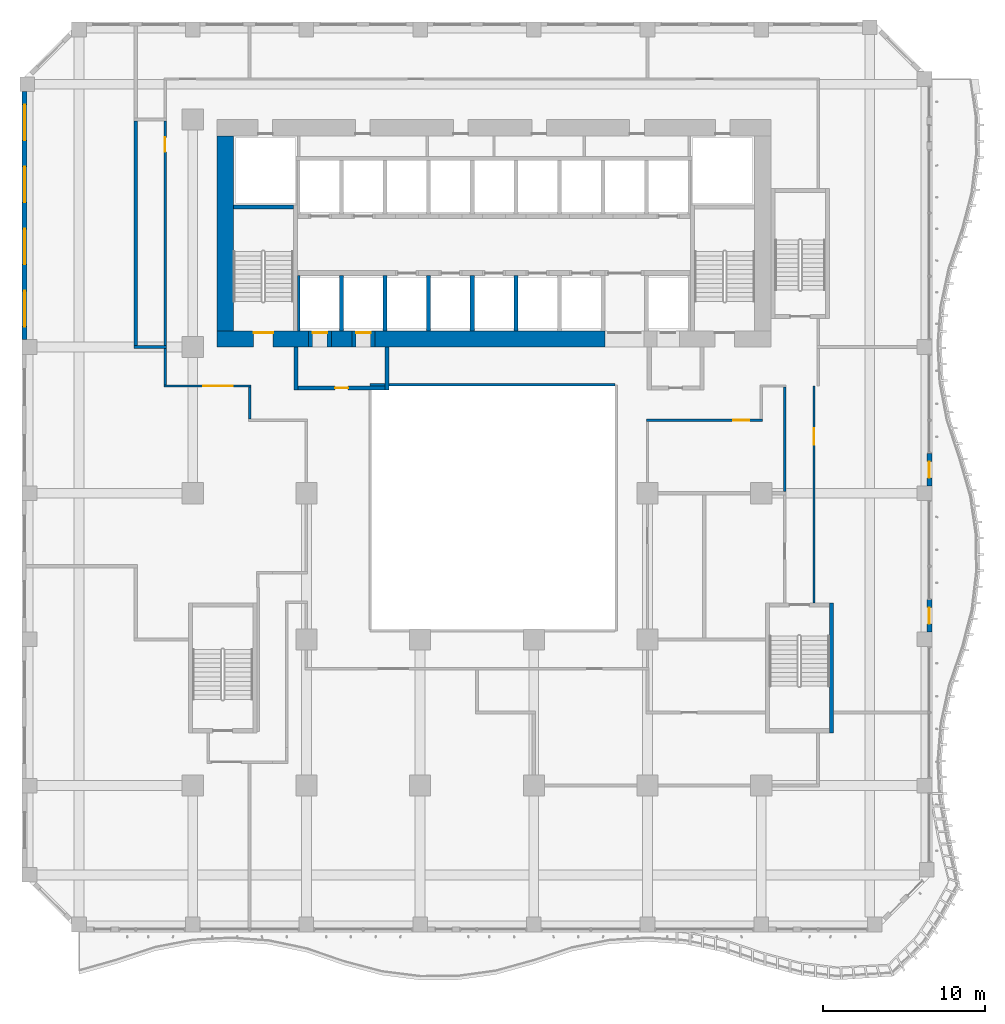
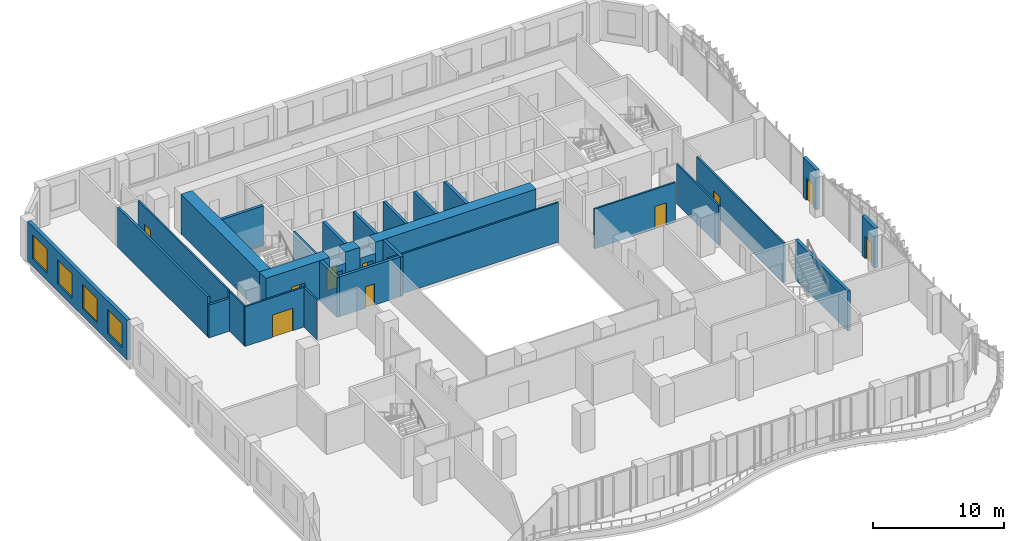
# One storey, part 14 of 26: 30 walls, 10 doors, 4 windows, 14 openings.
"""IFC4 building model written with IfcOpenShell, lengths in metres."""

from ifc_helpers import new_model, si_unit, direction, frame, frame_2d, origin, place, context, subcontext, project, spatial, rectangle, extrude, source, transform, mapped, material, layer, layer_set, type_object, element, fill, save


model = new_model("IFC4")

# Units and contexts
model_context = context("Model", 3, precision=1e-05, world=origin(), true_north=direction((0.0, 1.0)))
body_context = subcontext(model_context, "Body", "Model", "MODEL_VIEW")
ifc_project = project(units=[si_unit("LENGTHUNIT", "METRE"), si_unit("AREAUNIT", "SQUARE_METRE"), si_unit("VOLUMEUNIT", "CUBIC_METRE"), si_unit("PLANEANGLEUNIT", "RADIAN"), si_unit("MASSUNIT", "GRAM", prefix="KILO")], contexts=[model_context])

# Site, building, storey
site_placement = place(None, origin())
site = spatial("IfcSite", under=ifc_project, at=site_placement, CompositionType="ELEMENT")
building_placement = place(site_placement, origin())
building = spatial("IfcBuilding", under=site, at=building_placement, Name="Kilnfold Tower and Market Hall", CompositionType="ELEMENT")
storey_placement = place(building_placement, frame((0.0, 0.0, 31.0)))
storey = spatial("IfcBuildingStorey", under=building, at=storey_placement, Name="L06", CompositionType="ELEMENT", Elevation=31.0)

# Walls
ifc_material_1 = material(Name="Fire-resisting glazed screen")
ifc_layer_1 = layer(ifc_material_1, 0.14990234375)
ifc_layer_set_1 = layer_set([ifc_layer_1], Name="Fire-resisting glazed screen")
wall_type_1 = type_object("IfcWallType", Name="WALL ATRIUM 150", PredefinedType="PARTITIONING", material=ifc_layer_set_1)
wall_1_placement = place(storey_placement, frame((-6.574951171875, 5.675048828125, 0.0), z_axis=(0.0, 0.0, 1.0), x_axis=(1.0, 0.0, 0.0)))
element("IfcWall", 1, at=wall_1_placement, inside=storey, type_object=wall_type_1, Name="Partition LY06.62", PredefinedType="PARTITIONING", context=body_context, shape_type="SweptSolid", body=[
    extrude(rectangle(XDim=15.074951171875, YDim=0.14990234375, at=frame_2d((7.53759765625, 0.0))), origin(), (0.0, 0.0, 1.0), 3.719970703125),
])
ifc_material_2 = material(Name="Gypsum board on steel studs", Category="steel")
ifc_layer_2 = layer(ifc_material_2, 0.14990234375)
ifc_layer_set_2 = layer_set([ifc_layer_2], Name="Gypsum board on steel studs")
wall_type_2 = type_object("IfcWallType", Name="WALL CORRIDOR 150", PredefinedType="PARTITIONING", material=ifc_layer_set_2)
wall_2_placement = place(storey_placement, frame((-14.0, 5.52490234375, 0.0), z_axis=(0.0, 0.0, 1.0), x_axis=(0.0, -1.0, 0.0)))
element("IfcWall", 2, at=wall_2_placement, inside=storey, type_object=wall_type_2, Name="Partition LY06.6", PredefinedType="PARTITIONING", context=body_context, shape_type="SweptSolid", body=[
    extrude(rectangle(XDim=1.949951171875, YDim=0.14990234375, at=frame_2d((0.97509765625, 0.0))), origin(), (0.0, 0.0, 1.0), 3.719970703125),
])

# Wall, opening, door
wall_3_placement = place(storey_placement, frame((-19.27490234375, 5.60009765625, 0.0), z_axis=(0.0, 0.0, 1.0), x_axis=(1.0, 0.0, 0.0)))
wall_3 = element("IfcWall", 3, at=wall_3_placement, inside=storey, type_object=wall_type_2, Name="Partition LY06.7", PredefinedType="PARTITIONING", context=body_context, shape_type="SweptSolid", body=[
    extrude(rectangle(XDim=5.349853515625, YDim=0.14990234375, at=frame_2d((2.6748046875, 0.0))), origin(), (0.0, 0.0, 1.0), 3.719970703125),
])
opening_1_placement = place(wall_3_placement, frame((2.43505859375, 0.0, 0.0)))
opening_1 = element("IfcOpeningElement", 4, at=opening_1_placement, cuts=wall_3, Name="Opening D5", PredefinedType="OPENING", context=body_context, shape_type="SweptSolid", body=[
    extrude(rectangle(XDim=1.800048828125, YDim=2.10009765625, at=frame_2d((0.89990234375, 1.050048828125))), frame((0.0, 0.0849609375, 0.0), z_axis=(0.0, -1.0, 0.0), x_axis=(1.0, 0.0, 0.0)), (0.0, 0.0, 1.0), 0.169921875),
])
ifc_material_3 = material(Name="Timber veneer door leaf in steel frame", Category="steel")
door_type_1 = type_object("IfcDoorType", Name="DOOR DOUBLE 1800 X2100", OperationType="NOTDEFINED", PredefinedType="DOOR", material=ifc_material_3)
door_1_placement = place(opening_1_placement, origin())
door_1 = element("IfcDoor", 5, at=door_1_placement, inside=storey, type_object=door_type_1, Name="Door D5", OperationType="DOUBLE_DOOR_SINGLE_SWING", OverallHeight=2.10009765625, OverallWidth=1.800048828125, PredefinedType="DOOR", context=body_context, shape_type="SweptSolid", body=[
    extrude(rectangle(XDim=1.800048828125, YDim=2.10009765625, at=frame_2d((0.89990234375, 1.050048828125))), frame((0.0, 0.02490234375, 0.0), z_axis=(0.0, -1.0, 0.0), x_axis=(1.0, 0.0, 0.0)), (0.0, 0.0, 1.0), 0.050048828125),
])
fill(opening_1, door_1)

# Walls
wall_4_placement = place(storey_placement, frame((-19.199951171875, 5.675048828125, 0.0), z_axis=(0.0, 0.0, 1.0), x_axis=(0.0, 1.0, 0.0)))
element("IfcWall", 6, at=wall_4_placement, inside=storey, type_object=wall_type_2, Name="Partition LY06.8", PredefinedType="PARTITIONING", context=body_context, shape_type="SweptSolid", body=[
    extrude(rectangle(XDim=2.23486328125, YDim=0.14990234375, at=frame_2d((1.117431640625, 0.0))), origin(), (0.0, 0.0, 1.0), 3.719970703125),
])
wall_5_placement = place(storey_placement, frame((18.949951171875, -0.909912109375, 0.0), z_axis=(0.0, 0.0, 1.0), x_axis=(0.0, 1.0, 0.0)))
element("IfcWall", 7, at=wall_5_placement, inside=storey, type_object=wall_type_2, Name="Partition LY06.23", PredefinedType="PARTITIONING", context=body_context, shape_type="SweptSolid", body=[
    extrude(rectangle(XDim=6.434814453125, YDim=0.14990234375, at=frame_2d((3.21728515625, 0.0))), origin(), (0.0, 0.0, 1.0), 3.719970703125),
])

# Wall, opening, door
wall_6_placement = place(storey_placement, frame((10.425048828125, 3.5, 0.0), z_axis=(0.0, 0.0, 1.0), x_axis=(1.0, 0.0, 0.0)))
wall_6 = element("IfcWall", 8, at=wall_6_placement, inside=storey, type_object=wall_type_2, Name="Partition LY06.26", PredefinedType="PARTITIONING", context=body_context, shape_type="SweptSolid", body=[
    extrude(rectangle(XDim=7.14990234375, YDim=0.14990234375, at=frame_2d((3.574951171875, 0.0))), origin(), (0.0, 0.0, 1.0), 3.719970703125),
])
opening_2_placement = place(wall_6_placement, frame((5.344970703125, 0.0, 0.0)))
opening_2 = element("IfcOpeningElement", 9, at=opening_2_placement, cuts=wall_6, Name="Opening D1", PredefinedType="OPENING", context=body_context, shape_type="SweptSolid", body=[
    extrude(rectangle(XDim=1.0, YDim=2.10009765625, at=frame_2d((0.5, 1.050048828125))), frame((0.0, 0.0849609375, 0.0), z_axis=(0.0, -1.0, 0.0), x_axis=(1.0, 0.0, 0.0)), (0.0, 0.0, 1.0), 0.169921875),
])
ifc_material_4 = material(Name="Timber veneer door leaf in steel frame", Category="steel")
door_type_2 = type_object("IfcDoorType", Name="DOOR ENTRY 1000 X2100", OperationType="NOTDEFINED", PredefinedType="DOOR", material=ifc_material_4)
door_2_placement = place(opening_2_placement, origin())
door_2 = element("IfcDoor", 10, at=door_2_placement, inside=storey, type_object=door_type_2, Name="Door D1", OperationType="SINGLE_SWING_RIGHT", OverallHeight=2.10009765625, OverallWidth=1.0, PredefinedType="DOOR", context=body_context, shape_type="SweptSolid", body=[
    extrude(rectangle(XDim=1.0, YDim=2.10009765625, at=frame_2d((0.5, 1.050048828125))), frame((0.0, 0.02490234375, 0.0), z_axis=(0.0, -1.0, 0.0), x_axis=(1.0, 0.0, 0.0)), (0.0, 0.0, 1.0), 0.050048828125),
])
fill(opening_2, door_2)

wall_7_placement = place(storey_placement, frame((20.75, -7.75, 0.0), z_axis=(0.0, 0.0, 1.0), x_axis=(0.0, 1.0, 0.0)))
wall_7 = element("IfcWall", 11, at=wall_7_placement, inside=storey, type_object=wall_type_2, Name="Partition LY06.29", PredefinedType="PARTITIONING", context=body_context, shape_type="SweptSolid", body=[
    extrude(rectangle(XDim=13.35009765625, YDim=0.14990234375, at=frame_2d((6.675048828125, 0.0))), origin(), (0.0, 0.0, 1.0), 3.719970703125),
])
opening_3_placement = place(wall_7_placement, frame((9.739990234375, 0.0, 0.0)))
opening_3 = element("IfcOpeningElement", 12, at=opening_3_placement, cuts=wall_7, Name="Opening D1", PredefinedType="OPENING", context=body_context, shape_type="SweptSolid", body=[
    extrude(rectangle(XDim=1.0, YDim=2.10009765625, at=frame_2d((0.5, 1.050048828125))), frame((0.0, 0.0849609375, 0.0), z_axis=(0.0, -1.0, 0.0), x_axis=(1.0, 0.0, 0.0)), (0.0, 0.0, 1.0), 0.169921875),
])
door_3_placement = place(opening_3_placement, origin())
door_3 = element("IfcDoor", 13, at=door_3_placement, inside=storey, type_object=door_type_2, Name="Door D1", OperationType="SINGLE_SWING_RIGHT", OverallHeight=2.10009765625, OverallWidth=1.0, PredefinedType="DOOR", context=body_context, shape_type="SweptSolid", body=[
    extrude(rectangle(XDim=1.0, YDim=2.10009765625, at=frame_2d((0.5, 1.050048828125))), frame((0.0, 0.02490234375, 0.0), z_axis=(0.0, -1.0, 0.0), x_axis=(1.0, 0.0, 0.0)), (0.0, 0.0, 1.0), 0.050048828125),
])
fill(opening_3, door_3)

wall_8_placement = place(storey_placement, frame((-19.199951171875, 8.090087890625, 0.0), z_axis=(0.0, 0.0, 1.0), x_axis=(0.0, 1.0, 0.0)))
wall_8 = element("IfcWall", 14, at=wall_8_placement, inside=storey, type_object=wall_type_2, Name="Partition LY06.34", PredefinedType="PARTITIONING", context=body_context, shape_type="SweptSolid", body=[
    extrude(rectangle(XDim=13.81982421875, YDim=0.14990234375, at=frame_2d((6.909912109375, 0.0))), origin(), (0.0, 0.0, 1.0), 3.719970703125),
])
opening_4_placement = place(wall_8_placement, frame((11.9189453125, 0.0, 0.0)))
opening_4 = element("IfcOpeningElement", 15, at=opening_4_placement, cuts=wall_8, Name="Opening D2", PredefinedType="OPENING", context=body_context, shape_type="SweptSolid", body=[
    extrude(rectangle(XDim=0.89990234375, YDim=2.10009765625, at=frame_2d((0.449951171875, 1.050048828125))), frame((0.0, 0.0849609375, 0.0), z_axis=(0.0, -1.0, 0.0), x_axis=(1.0, 0.0, 0.0)), (0.0, 0.0, 1.0), 0.169921875),
])
ifc_material_5 = material(Name="Timber veneer door leaf in steel frame", Category="steel")
door_type_3 = type_object("IfcDoorType", Name="DOOR ROOM 900 X2100", OperationType="NOTDEFINED", PredefinedType="DOOR", material=ifc_material_5)
door_4_placement = place(opening_4_placement, origin())
door_4 = element("IfcDoor", 16, at=door_4_placement, inside=storey, type_object=door_type_3, Name="Door D2", OperationType="SINGLE_SWING_LEFT", OverallHeight=2.10009765625, OverallWidth=0.89990234375, PredefinedType="DOOR", context=body_context, shape_type="SweptSolid", body=[
    extrude(rectangle(XDim=0.89990234375, YDim=2.10009765625, at=frame_2d((0.449951171875, 1.050048828125))), frame((0.0, 0.02490234375, 0.0), z_axis=(0.0, -1.0, 0.0), x_axis=(1.0, 0.0, 0.0)), (0.0, 0.0, 1.0), 0.050048828125),
])
fill(opening_4, door_4)

# Walls
ifc_material_6 = material(Name="Gypsum board on steel studs", Category="steel")
ifc_layer_3 = layer(ifc_material_6, 0.199951171875)
ifc_layer_set_3 = layer_set([ifc_layer_3], Name="Gypsum board on steel studs")
wall_type_3 = type_object("IfcWallType", Name="WALL PARTY 200", PredefinedType="PARTITIONING", material=ifc_layer_set_3)
wall_9_placement = place(storey_placement, frame((-21.0, 8.10009765625, 0.0), z_axis=(0.0, 0.0, 1.0), x_axis=(0.0, 1.0, 0.0)))
element("IfcWall", 17, at=wall_9_placement, inside=storey, type_object=wall_type_3, Name="Partition LY06.39", PredefinedType="PARTITIONING", context=body_context, shape_type="SweptSolid", body=[
    extrude(rectangle(XDim=13.809814453125, YDim=0.199951171875, at=frame_2d((6.90478515625, 0.0))), origin(), (0.0, 0.0, 1.0), 3.719970703125),
])
wall_10_placement = place(storey_placement, frame((-21.10009765625, 8.0, 0.0), z_axis=(0.0, 0.0, 1.0), x_axis=(1.0, 0.0, 0.0)))
element("IfcWall", 18, at=wall_10_placement, inside=storey, type_object=wall_type_3, Name="Partition LY06.40", PredefinedType="PARTITIONING", context=body_context, shape_type="SweptSolid", body=[
    extrude(rectangle(XDim=1.97412109375, YDim=0.199951171875, at=frame_2d((0.987060546875, 0.0))), origin(), (0.0, 0.0, 1.0), 3.070068359375),
])

# Wall, opening, door
ifc_material_7 = material(Name="Concrete C80", Category="concrete")
ifc_layer_4 = layer(ifc_material_7, 1.0)
ifc_layer_set_4 = layer_set([ifc_layer_4], Name="Concrete C80")
wall_type_4 = type_object("IfcWallType", Name="CORE WALL 1000 C80", PredefinedType="SHEAR", material=ifc_layer_set_4)
shared_shape_1 = source(origin(), body_context, "Body", "SweptSolid", [
    extrude(rectangle(XDim=5.6298828125, YDim=1.0, at=frame_2d((2.81494140625, 0.0))), origin(), (0.0, 0.0, 1.0), 3.719970703125),
])
wall_11_placement = place(storey_placement, frame((-16.0, 8.5, 0.0), z_axis=(0.0, 0.0, 1.0), x_axis=(1.0, 0.0, 0.0)))
wall_11 = element("IfcWall", 19, at=wall_11_placement, inside=storey, type_object=wall_type_4, Name="Core outer wall south", PredefinedType="SHEAR", context=body_context, shape_type="MappedRepresentation", body=[
    mapped(shared_shape_1, transform((0.0, 0.0, 0.0))),
])
opening_5_placement = place(wall_11_placement, frame((2.25, 0.0, 0.0)))
opening_5 = element("IfcOpeningElement", 20, at=opening_5_placement, cuts=wall_11, Name="Opening SD1", PredefinedType="OPENING", context=body_context, shape_type="SweptSolid", body=[
    extrude(rectangle(XDim=1.199951171875, YDim=2.10009765625, at=frame_2d((0.60009765625, 1.050048828125))), frame((0.0, 0.510009765625, 0.0), z_axis=(0.0, -1.0, 0.0), x_axis=(1.0, 0.0, 0.0)), (0.0, 0.0, 1.0), 1.02001953125),
])
ifc_material_8 = material(Name="Steel door set with fire-resisting leaf", Category="steel")
door_type_4 = type_object("IfcDoorType", Name="STAIR FLOOR DOOR 1200X2100", OperationType="NOTDEFINED", PredefinedType="DOOR", material=ifc_material_8)
door_5_placement = place(opening_5_placement, origin())
door_5 = element("IfcDoor", 21, at=door_5_placement, inside=storey, type_object=door_type_4, Name="Exit stair ST1 door", OperationType="DOUBLE_DOOR_SINGLE_SWING", OverallHeight=2.10009765625, OverallWidth=1.199951171875, PredefinedType="DOOR", context=body_context, shape_type="SweptSolid", body=[
    extrude(rectangle(XDim=1.199951171875, YDim=2.10009765625, at=frame_2d((0.60009765625, 1.050048828125))), frame((0.0, 0.40478515625, 0.0), z_axis=(0.0, -1.0, 0.0), x_axis=(1.0, 0.0, 0.0)), (0.0, 0.0, 1.0), 0.050048828125),
])
fill(opening_5, door_5)

# Walls
shared_shape_2 = source(origin(), body_context, "Body", "SweptSolid", [
    extrude(rectangle(XDim=1.280029296875, YDim=1.0, at=frame_2d((0.64013671875, 0.0))), origin(), (0.0, 0.0, 1.0), 3.719970703125),
])
wall_12_placement = place(storey_placement, frame((-8.969970703125, 8.5, 0.0), z_axis=(0.0, 0.0, 1.0), x_axis=(1.0, 0.0, 0.0)))
element("IfcWall", 22, at=wall_12_placement, inside=storey, type_object=wall_type_4, Name="Core outer wall south", PredefinedType="SHEAR", context=body_context, shape_type="MappedRepresentation", body=[
    mapped(shared_shape_2, transform((0.0, 0.0, 0.0))),
])
shared_shape_3 = source(origin(), body_context, "Body", "SweptSolid", [
    extrude(rectangle(XDim=14.179931640625, YDim=1.0, at=frame_2d((7.08984375, 0.0))), origin(), (0.0, 0.0, 1.0), 3.719970703125),
])
wall_13_placement = place(storey_placement, frame((-6.2900390625, 8.5, 0.0), z_axis=(0.0, 0.0, 1.0), x_axis=(1.0, 0.0, 0.0)))
element("IfcWall", 23, at=wall_13_placement, inside=storey, type_object=wall_type_4, Name="Core outer wall south", PredefinedType="SHEAR", context=body_context, shape_type="MappedRepresentation", body=[
    mapped(shared_shape_3, transform((0.0, 0.0, 0.0))),
])
shared_shape_4 = source(origin(), body_context, "Body", "SweptSolid", [
    extrude(rectangle(XDim=12.0, YDim=1.0, at=frame_2d((6.0, 0.0))), origin(), (0.0, 0.0, 1.0), 3.719970703125),
])
wall_14_placement = place(storey_placement, frame((-15.5, 9.0, 0.0), z_axis=(0.0, 0.0, 1.0), x_axis=(0.0, 1.0, 0.0)))
element("IfcWall", 24, at=wall_14_placement, inside=storey, type_object=wall_type_4, Name="Core outer wall west", PredefinedType="SHEAR", context=body_context, shape_type="MappedRepresentation", body=[
    mapped(shared_shape_4, transform((0.0, 0.0, 0.0))),
])
ifc_material_9 = material(Name="Concrete C80", Category="concrete")
ifc_layer_5 = layer(ifc_material_9, 0.25)
ifc_layer_set_5 = layer_set([ifc_layer_5], Name="Concrete C80")
wall_type_5 = type_object("IfcWallType", Name="CORE WALL 250 C80", PredefinedType="SHEAR", material=ifc_layer_set_5)
shared_shape_5 = source(origin(), body_context, "Body", "SweptSolid", [
    extrude(rectangle(XDim=3.699951171875, YDim=0.25, at=frame_2d((1.85009765625, 0.0))), origin(), (0.0, 0.0, 1.0), 3.719970703125),
])
wall_15_placement = place(storey_placement, frame((-15.0, 16.625, 0.0), z_axis=(0.0, 0.0, 1.0), x_axis=(1.0, 0.0, 0.0)))
element("IfcWall", 25, at=wall_15_placement, inside=storey, type_object=wall_type_5, Name="Stair enclosure ST1", PredefinedType="SHEAR", context=body_context, shape_type="MappedRepresentation", body=[
    mapped(shared_shape_5, transform((0.0, 0.0, 0.0))),
])
shared_shape_6 = source(origin(), body_context, "Body", "SweptSolid", [
    extrude(rectangle(XDim=8.0, YDim=0.25, at=frame_2d((4.0, 0.0))), origin(), (0.0, 0.0, 1.0), 3.719970703125),
])
wall_16_placement = place(storey_placement, frame((21.824951171875, -15.75, 0.0), z_axis=(0.0, 0.0, 1.0), x_axis=(0.0, 1.0, 0.0)))
element("IfcWall", 26, at=wall_16_placement, inside=storey, type_object=wall_type_5, Name="Stair enclosure ST4", PredefinedType="SHEAR", context=body_context, shape_type="MappedRepresentation", body=[
    mapped(shared_shape_6, transform((0.0, 0.0, 0.0))),
])

# Wall, opening, door
ifc_material_10 = material(Name="Precast concrete C50/60", Category="concrete")
ifc_layer_6 = layer(ifc_material_10, 0.300048828125)
ifc_layer_set_6 = layer_set([ifc_layer_6], Name="Precast concrete C50/60")
wall_type_6 = type_object("IfcWallType", Name="PRECAST WALL 300", PredefinedType="SOLIDWALL", material=ifc_layer_set_6)
shared_shape_7 = source(origin(), body_context, "Body", "SweptSolid", [
    extrude(rectangle(XDim=2.0, YDim=0.300048828125, at=frame_2d((1.0, 0.0))), origin(), (0.0, 0.0, 1.0), 3.719970703125),
])
wall_17_placement = place(storey_placement, frame((27.85009765625, -9.550048828125, 0.0), z_axis=(0.0, 0.0, 1.0), x_axis=(0.0, 1.0, 0.0)))
wall_17 = element("IfcWall", 27, at=wall_17_placement, inside=storey, type_object=wall_type_6, Name="External wall L06 E", PredefinedType="SOLIDWALL", context=body_context, shape_type="MappedRepresentation", body=[
    mapped(shared_shape_7, transform((0.0, 0.0, 0.0))),
])
opening_6_placement = place(wall_17_placement, frame((0.5, 0.0, 0.0)))
opening_6 = element("IfcOpeningElement", 28, at=opening_6_placement, cuts=wall_17, Name="Opening BD1", PredefinedType="OPENING", context=body_context, shape_type="SweptSolid", body=[
    extrude(rectangle(XDim=1.0, YDim=2.10009765625, at=frame_2d((0.5, 1.050048828125))), frame((0.0, 0.16015625, 0.0), z_axis=(0.0, -1.0, 0.0), x_axis=(1.0, 0.0, 0.0)), (0.0, 0.0, 1.0), 0.320068359375),
])
ifc_material_11 = material(Name="Aluminium frame and double glazing", Category="aluminium")
door_type_5 = type_object("IfcDoorType", Name="BALCONY DOOR 1000X2100", OperationType="NOTDEFINED", PredefinedType="DOOR", material=ifc_material_11)
door_6_placement = place(opening_6_placement, origin())
door_6 = element("IfcDoor", 29, at=door_6_placement, inside=storey, type_object=door_type_5, Name="Balcony door BD1 L06 E-1", OperationType="SINGLE_SWING_LEFT", OverallHeight=2.10009765625, OverallWidth=1.0, PredefinedType="DOOR", context=body_context, shape_type="SweptSolid", body=[
    extrude(rectangle(XDim=1.0, YDim=2.10009765625, at=frame_2d((0.5, 1.050048828125))), frame((0.0, 0.02490234375, 0.0), z_axis=(0.0, -1.0, 0.0), x_axis=(1.0, 0.0, 0.0)), (0.0, 0.0, 1.0), 0.050048828125),
])
fill(opening_6, door_6)

wall_18_placement = place(storey_placement, frame((27.85009765625, -0.550048828125, 0.0), z_axis=(0.0, 0.0, 1.0), x_axis=(0.0, 1.0, 0.0)))
wall_18 = element("IfcWall", 30, at=wall_18_placement, inside=storey, type_object=wall_type_6, Name="External wall L06 E", PredefinedType="SOLIDWALL", context=body_context, shape_type="MappedRepresentation", body=[
    mapped(shared_shape_7, transform((0.0, 0.0, 0.0))),
])
opening_7_placement = place(wall_18_placement, frame((0.5, 0.0, 0.0)))
opening_7 = element("IfcOpeningElement", 31, at=opening_7_placement, cuts=wall_18, Name="Opening BD1", PredefinedType="OPENING", context=body_context, shape_type="SweptSolid", body=[
    extrude(rectangle(XDim=1.0, YDim=2.10009765625, at=frame_2d((0.5, 1.050048828125))), frame((0.0, 0.16015625, 0.0), z_axis=(0.0, -1.0, 0.0), x_axis=(1.0, 0.0, 0.0)), (0.0, 0.0, 1.0), 0.320068359375),
])
door_7_placement = place(opening_7_placement, origin())
door_7 = element("IfcDoor", 32, at=door_7_placement, inside=storey, type_object=door_type_5, Name="Balcony door BD1 L06 E-1", OperationType="SINGLE_SWING_LEFT", OverallHeight=2.10009765625, OverallWidth=1.0, PredefinedType="DOOR", context=body_context, shape_type="SweptSolid", body=[
    extrude(rectangle(XDim=1.0, YDim=2.10009765625, at=frame_2d((0.5, 1.050048828125))), frame((0.0, 0.02490234375, 0.0), z_axis=(0.0, -1.0, 0.0), x_axis=(1.0, 0.0, 0.0)), (0.0, 0.0, 1.0), 0.050048828125),
])
fill(opening_7, door_7)

# Wall, openings, windows
shared_shape_8 = source(origin(), body_context, "Body", "SweptSolid", [
    extrude(rectangle(XDim=15.28173828125, YDim=0.300048828125, at=frame_2d((7.640869140625, 0.0))), origin(), (0.0, 0.0, 1.0), 3.719970703125),
])
wall_19_placement = place(storey_placement, frame((-27.85009765625, 23.731689453125, 0.0), z_axis=(0.0, 0.0, 1.0), x_axis=(0.0, -1.0, 0.0)))
wall_19 = element("IfcWall", 33, at=wall_19_placement, inside=storey, type_object=wall_type_6, Name="External wall L06 W", PredefinedType="SOLIDWALL", context=body_context, shape_type="MappedRepresentation", body=[
    mapped(shared_shape_8, transform((0.0, 0.0, 0.0))),
])
opening_8_placement = place(wall_19_placement, frame((0.810302734375, 0.0, 0.699951171875)))
opening_8 = element("IfcOpeningElement", 34, at=opening_8_placement, cuts=wall_19, Name="Opening W1", PredefinedType="OPENING", context=body_context, shape_type="SweptSolid", body=[
    extrude(rectangle(XDim=2.199951171875, YDim=2.25, at=frame_2d((1.10009765625, 1.125))), frame((0.0, 0.16015625, 0.0), z_axis=(0.0, -1.0, 0.0), x_axis=(1.0, 0.0, 0.0)), (0.0, 0.0, 1.0), 0.320068359375),
])
opening_9_placement = place(wall_19_placement, frame((4.630615234375, 0.0, 0.699951171875)))
opening_9 = element("IfcOpeningElement", 35, at=opening_9_placement, cuts=wall_19, Name="Opening W1", PredefinedType="OPENING", context=body_context, shape_type="SweptSolid", body=[
    extrude(rectangle(XDim=2.199951171875, YDim=2.25, at=frame_2d((1.10009765625, 1.125))), frame((0.0, 0.16015625, 0.0), z_axis=(0.0, -1.0, 0.0), x_axis=(1.0, 0.0, 0.0)), (0.0, 0.0, 1.0), 0.320068359375),
])
opening_10_placement = place(wall_19_placement, frame((8.451171875, 0.0, 0.699951171875)))
opening_10 = element("IfcOpeningElement", 36, at=opening_10_placement, cuts=wall_19, Name="Opening W1", PredefinedType="OPENING", context=body_context, shape_type="SweptSolid", body=[
    extrude(rectangle(XDim=2.199951171875, YDim=2.25, at=frame_2d((1.10009765625, 1.125))), frame((0.0, 0.16015625, 0.0), z_axis=(0.0, -1.0, 0.0), x_axis=(1.0, 0.0, 0.0)), (0.0, 0.0, 1.0), 0.320068359375),
])
opening_11_placement = place(wall_19_placement, frame((12.271484375, 0.0, 0.699951171875)))
opening_11 = element("IfcOpeningElement", 37, at=opening_11_placement, cuts=wall_19, Name="Opening W1", PredefinedType="OPENING", context=body_context, shape_type="SweptSolid", body=[
    extrude(rectangle(XDim=2.199951171875, YDim=2.25, at=frame_2d((1.10009765625, 1.125))), frame((0.0, 0.16015625, 0.0), z_axis=(0.0, -1.0, 0.0), x_axis=(1.0, 0.0, 0.0)), (0.0, 0.0, 1.0), 0.320068359375),
])
ifc_material_12 = material(Name="Aluminium frame and double glazing", Category="aluminium")
window_type = type_object("IfcWindowType", Name="WINDOW W1 2200X2250", PartitioningType="SINGLE_PANEL", PredefinedType="WINDOW", material=ifc_material_12)
window_1_placement = place(opening_8_placement, origin())
window_1 = element("IfcWindow", 38, at=window_1_placement, inside=storey, type_object=window_type, Name="Window W1 L06 W-1", OverallHeight=2.25, OverallWidth=2.199951171875, PartitioningType="SINGLE_PANEL", PredefinedType="WINDOW", context=body_context, shape_type="SweptSolid", body=[
    extrude(rectangle(XDim=2.199951171875, YDim=2.25, at=frame_2d((1.10009765625, 1.125))), frame((0.0, 0.030029296875, 0.0), z_axis=(0.0, -1.0, 0.0), x_axis=(1.0, 0.0, 0.0)), (0.0, 0.0, 1.0), 0.06005859375),
])
fill(opening_8, window_1)
window_2_placement = place(opening_9_placement, origin())
window_2 = element("IfcWindow", 39, at=window_2_placement, inside=storey, type_object=window_type, Name="Window W1 L06 W-2", OverallHeight=2.25, OverallWidth=2.199951171875, PartitioningType="SINGLE_PANEL", PredefinedType="WINDOW", context=body_context, shape_type="SweptSolid", body=[
    extrude(rectangle(XDim=2.199951171875, YDim=2.25, at=frame_2d((1.10009765625, 1.125))), frame((0.0, 0.030029296875, 0.0), z_axis=(0.0, -1.0, 0.0), x_axis=(1.0, 0.0, 0.0)), (0.0, 0.0, 1.0), 0.06005859375),
])
fill(opening_9, window_2)
window_3_placement = place(opening_10_placement, origin())
window_3 = element("IfcWindow", 40, at=window_3_placement, inside=storey, type_object=window_type, Name="Window W1 L06 W-3", OverallHeight=2.25, OverallWidth=2.199951171875, PartitioningType="SINGLE_PANEL", PredefinedType="WINDOW", context=body_context, shape_type="SweptSolid", body=[
    extrude(rectangle(XDim=2.199951171875, YDim=2.25, at=frame_2d((1.10009765625, 1.125))), frame((0.0, 0.030029296875, 0.0), z_axis=(0.0, -1.0, 0.0), x_axis=(1.0, 0.0, 0.0)), (0.0, 0.0, 1.0), 0.06005859375),
])
fill(opening_10, window_3)
window_4_placement = place(opening_11_placement, origin())
window_4 = element("IfcWindow", 41, at=window_4_placement, inside=storey, type_object=window_type, Name="Window W1 L06 W-4", OverallHeight=2.25, OverallWidth=2.199951171875, PartitioningType="SINGLE_PANEL", PredefinedType="WINDOW", context=body_context, shape_type="SweptSolid", body=[
    extrude(rectangle(XDim=2.199951171875, YDim=2.25, at=frame_2d((1.10009765625, 1.125))), frame((0.0, 0.030029296875, 0.0), z_axis=(0.0, -1.0, 0.0), x_axis=(1.0, 0.0, 0.0)), (0.0, 0.0, 1.0), 0.06005859375),
])
fill(opening_11, window_4)

# Wall, opening, door
ifc_material_13 = material(Name="Gypsum shaft wall system")
ifc_layer_7 = layer(ifc_material_13, 1.0)
ifc_layer_set_7 = layer_set([ifc_layer_7], Name="Gypsum shaft wall system")
wall_type_7 = type_object("IfcWallType", Name="LOBBY WALL 1000", PredefinedType="PARTITIONING", material=ifc_layer_set_7)
shared_shape_9 = source(origin(), body_context, "Body", "SweptSolid", [
    extrude(rectangle(XDim=1.400146484375, YDim=1.0, at=frame_2d((0.7001953125, 0.0))), origin(), (0.0, 0.0, 1.0), 2.699951171875),
])
wall_20_placement = place(storey_placement, frame((-10.3701171875, 8.5, 0.0), z_axis=(0.0, 0.0, 1.0), x_axis=(1.0, 0.0, 0.0)))
wall_20 = element("IfcWall", 42, at=wall_20_placement, inside=storey, type_object=wall_type_7, Name="Core wall infill", PredefinedType="PARTITIONING", context=body_context, shape_type="MappedRepresentation", body=[
    mapped(shared_shape_9, transform((0.0, 0.0, 0.0))),
])
opening_12_placement = place(wall_20_placement, frame((0.25, 0.0, 0.0)))
opening_12 = element("IfcOpeningElement", 43, at=opening_12_placement, cuts=wall_20, Name="Opening LD1", PredefinedType="OPENING", context=body_context, shape_type="SweptSolid", body=[
    extrude(rectangle(XDim=0.89990234375, YDim=2.10009765625, at=frame_2d((0.449951171875, 1.050048828125))), frame((0.0, 0.510009765625, 0.0), z_axis=(0.0, -1.0, 0.0), x_axis=(1.0, 0.0, 0.0)), (0.0, 0.0, 1.0), 1.02001953125),
])
ifc_material_14 = material(Name="Steel door set with fire-resisting leaf", Category="steel")
door_type_6 = type_object("IfcDoorType", Name="FIREFIGHTING LANDING DOOR 900X2100", OperationType="NOTDEFINED", PredefinedType="DOOR", material=ifc_material_14)
door_8_placement = place(opening_12_placement, origin())
door_8 = element("IfcDoor", 44, at=door_8_placement, inside=storey, type_object=door_type_6, Name="Landing door FF1", OperationType="SLIDING_TO_LEFT", OverallHeight=2.10009765625, OverallWidth=0.89990234375, PredefinedType="DOOR", context=body_context, shape_type="SweptSolid", body=[
    extrude(rectangle(XDim=0.89990234375, YDim=2.10009765625, at=frame_2d((0.449951171875, 1.050048828125))), frame((0.0, 0.40478515625, 0.0), z_axis=(0.0, -1.0, 0.0), x_axis=(1.0, 0.0, 0.0)), (0.0, 0.0, 1.0), 0.050048828125),
])
fill(opening_12, door_8)

shared_shape_10 = source(origin(), body_context, "Body", "SweptSolid", [
    extrude(rectangle(XDim=1.39990234375, YDim=1.0, at=frame_2d((0.699951171875, 0.0))), origin(), (0.0, 0.0, 1.0), 2.699951171875),
])
wall_21_placement = place(storey_placement, frame((-7.68994140625, 8.5, 0.0), z_axis=(0.0, 0.0, 1.0), x_axis=(1.0, 0.0, 0.0)))
wall_21 = element("IfcWall", 45, at=wall_21_placement, inside=storey, type_object=wall_type_7, Name="Core wall infill", PredefinedType="PARTITIONING", context=body_context, shape_type="MappedRepresentation", body=[
    mapped(shared_shape_10, transform((0.0, 0.0, 0.0))),
])
opening_13_placement = place(wall_21_placement, frame((0.25, 0.0, 0.0)))
opening_13 = element("IfcOpeningElement", 46, at=opening_13_placement, cuts=wall_21, Name="Opening LD1", PredefinedType="OPENING", context=body_context, shape_type="SweptSolid", body=[
    extrude(rectangle(XDim=0.89990234375, YDim=2.10009765625, at=frame_2d((0.449951171875, 1.050048828125))), frame((0.0, 0.510009765625, 0.0), z_axis=(0.0, -1.0, 0.0), x_axis=(1.0, 0.0, 0.0)), (0.0, 0.0, 1.0), 1.02001953125),
])
door_9_placement = place(opening_13_placement, origin())
door_9 = element("IfcDoor", 47, at=door_9_placement, inside=storey, type_object=door_type_6, Name="Landing door FF2", OperationType="SLIDING_TO_RIGHT", OverallHeight=2.10009765625, OverallWidth=0.89990234375, PredefinedType="DOOR", context=body_context, shape_type="SweptSolid", body=[
    extrude(rectangle(XDim=0.89990234375, YDim=2.10009765625, at=frame_2d((0.449951171875, 1.050048828125))), frame((0.0, 0.40478515625, 0.0), z_axis=(0.0, -1.0, 0.0), x_axis=(1.0, 0.0, 0.0)), (0.0, 0.0, 1.0), 0.050048828125),
])
fill(opening_13, door_9)

# Walls
ifc_material_15 = material(Name="Gypsum shaft wall system")
ifc_layer_8 = layer(ifc_material_15, 0.25)
ifc_layer_set_8 = layer_set([ifc_layer_8], Name="Gypsum shaft wall system")
wall_type_8 = type_object("IfcWallType", Name="LOBBY WALL 250", PredefinedType="PARTITIONING", material=ifc_layer_set_8)
shared_shape_11 = source(origin(), body_context, "Body", "SweptSolid", [
    extrude(rectangle(XDim=2.64990234375, YDim=0.25, at=frame_2d((1.324951171875, 0.0))), origin(), (0.0, 0.0, 1.0), 3.719970703125),
])
for number, where, z_axis, x_axis, name in (
    (48, (-11.135009765625, 5.35009765625, 0.0), (0.0, 0.0, 1.0), (0.0, 1.0, 0.0), "Firefighting lobby wall"),
    (49, (-5.52490234375, 5.35009765625, 0.0), (0.0, 0.0, 1.0), (0.0, 1.0, 0.0), "Firefighting lobby wall"),
):
    element("IfcWall", number, at=place(storey_placement, frame(where, z_axis=z_axis, x_axis=x_axis)), inside=storey, type_object=wall_type_8, Name=name, PredefinedType="PARTITIONING", context=body_context, shape_type="MappedRepresentation", body=[
        mapped(shared_shape_11, transform((0.0, 0.0, 0.0))),
    ])

# Wall, opening, door
shared_shape_12 = source(origin(), body_context, "Body", "SweptSolid", [
    extrude(rectangle(XDim=5.360107421875, YDim=0.25, at=frame_2d((2.68017578125, 0.0))), origin(), (0.0, 0.0, 1.0), 3.719970703125),
])
wall_22_placement = place(storey_placement, frame((-11.010009765625, 5.47509765625, 0.0), z_axis=(0.0, 0.0, 1.0), x_axis=(1.0, 0.0, 0.0)))
wall_22 = element("IfcWall", 50, at=wall_22_placement, inside=storey, type_object=wall_type_8, Name="Firefighting lobby wall", PredefinedType="PARTITIONING", context=body_context, shape_type="MappedRepresentation", body=[
    mapped(shared_shape_12, transform((0.0, 0.0, 0.0))),
])
opening_14_placement = place(wall_22_placement, frame((2.280029296875, 0.0, 0.0)))
opening_14 = element("IfcOpeningElement", 51, at=opening_14_placement, cuts=wall_22, Name="Opening VD1", PredefinedType="OPENING", context=body_context, shape_type="SweptSolid", body=[
    extrude(rectangle(XDim=0.800048828125, YDim=2.0, at=frame_2d((0.39990234375, 1.0))), frame((0.0, 0.135009765625, 0.0), z_axis=(0.0, -1.0, 0.0), x_axis=(1.0, 0.0, 0.0)), (0.0, 0.0, 1.0), 0.27001953125),
])
ifc_material_16 = material(Name="Steel door set with fire-resisting leaf", Category="steel")
door_type_7 = type_object("IfcDoorType", Name="FIREFIGHTING LOBBY DOOR 800X2000", OperationType="NOTDEFINED", PredefinedType="DOOR", material=ifc_material_16)
door_10_placement = place(opening_14_placement, origin())
door_10 = element("IfcDoor", 52, at=door_10_placement, inside=storey, type_object=door_type_7, Name="Firefighting lobby door", OperationType="SINGLE_SWING_LEFT", OverallHeight=2.0, OverallWidth=0.800048828125, PredefinedType="DOOR", context=body_context, shape_type="SweptSolid", body=[
    extrude(rectangle(XDim=0.800048828125, YDim=2.0, at=frame_2d((0.39990234375, 1.0))), frame((0.0, 0.02490234375, 0.0), z_axis=(0.0, -1.0, 0.0), x_axis=(1.0, 0.0, 0.0)), (0.0, 0.0, 1.0), 0.050048828125),
])
fill(opening_14, door_10)

# Walls
ifc_material_17 = material(Name="Gypsum shaft wall system")
ifc_layer_9 = layer(ifc_material_17, 0.25)
ifc_layer_set_9 = layer_set([ifc_layer_9], Name="Gypsum shaft wall system")
wall_type_9 = type_object("IfcWallType", Name="SHAFT WALL 250", PredefinedType="PARTITIONING", material=ifc_layer_set_9)
shared_shape_13 = source(origin(), body_context, "Body", "SweptSolid", [
    extrude(rectangle(XDim=3.39990234375, YDim=0.25, at=frame_2d((1.699951171875, 0.0))), origin(), (0.0, 0.0, 1.0), 3.719970703125),
])
for number, where, z_axis, x_axis, name in (
    (53, (2.389892578125, 9.0, 0.0), (0.0, 0.0, 1.0), (0.0, 1.0, 0.0), "Lift shaft wall"),
    (54, (-0.2900390625, 9.0, 0.0), (0.0, 0.0, 1.0), (0.0, 1.0, 0.0), "Lift shaft wall"),
    (55, (-2.969970703125, 9.0, 0.0), (0.0, 0.0, 1.0), (0.0, 1.0, 0.0), "Lift shaft wall"),
    (56, (-5.64990234375, 9.0, 0.0), (0.0, 0.0, 1.0), (0.0, 1.0, 0.0), "Lift shaft wall"),
    (57, (-8.330078125, 9.0, 0.0), (0.0, 0.0, 1.0), (0.0, 1.0, 0.0), "Lift shaft wall"),
):
    element("IfcWall", number, at=place(storey_placement, frame(where, z_axis=z_axis, x_axis=x_axis)), inside=storey, type_object=wall_type_9, Name=name, PredefinedType="PARTITIONING", context=body_context, shape_type="MappedRepresentation", body=[
        mapped(shared_shape_13, transform((0.0, 0.0, 0.0))),
    ])
ifc_material_18 = material(Name="Gypsum shaft wall system")
ifc_layer_10 = layer(ifc_material_18, 0.1650390625)
ifc_layer_set_10 = layer_set([ifc_layer_10], Name="Gypsum shaft wall system")
wall_type_10 = type_object("IfcWallType", Name="SHAFT WALL 165", PredefinedType="PARTITIONING", material=ifc_layer_set_10)
shared_shape_14 = source(origin(), body_context, "Body", "SweptSolid", [
    extrude(rectangle(XDim=3.39990234375, YDim=0.1650390625, at=frame_2d((1.699951171875, 0.0))), origin(), (0.0, 0.0, 1.0), 3.719970703125),
])
wall_23_placement = place(storey_placement, frame((-10.967529296875, 9.0, 0.0), z_axis=(0.0, 0.0, 1.0), x_axis=(0.0, 1.0, 0.0)))
element("IfcWall", 58, at=wall_23_placement, inside=storey, type_object=wall_type_10, Name="Lift shaft wall", PredefinedType="PARTITIONING", context=body_context, shape_type="MappedRepresentation", body=[
    mapped(shared_shape_14, transform((0.0, 0.0, 0.0))),
])

save(model, "model.ifc")
